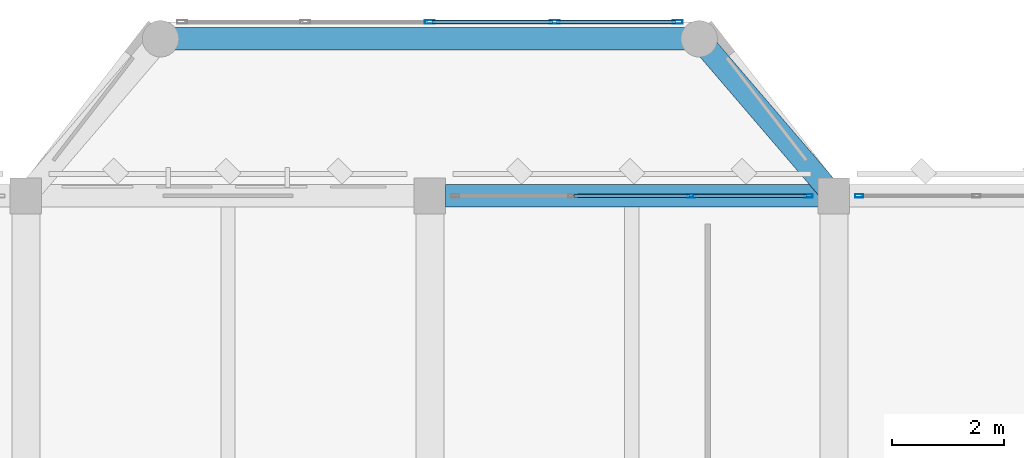
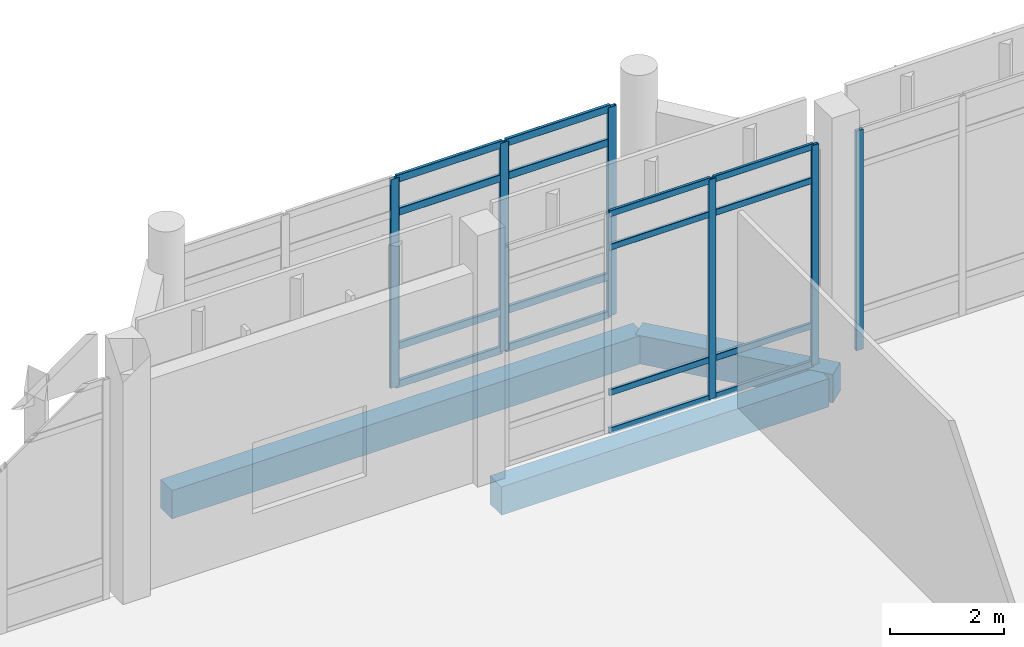
# One storey, part 132 of 180: 22 members, 3 beams, 3 elements without a shape of their own.
"""IFC4 building model written with IfcOpenShell, lengths in metres."""

from ifc_helpers import new_model, si_unit, direction, frame, origin, origin_2d, place, context, subcontext, project, spatial, rectangle, hollow_rectangle, extrude, material, material_profile, profile_set, type_object, element, aggregate, save


model = new_model("IFC4")

# Units and contexts
model_context = context("Model", 3, precision=1e-05, world=origin(), true_north=direction((0.0, 1.0)))
body_context = subcontext(model_context, "Body", "Model", "MODEL_VIEW")
ifc_project = project(units=[si_unit("LENGTHUNIT", "METRE"), si_unit("AREAUNIT", "SQUARE_METRE"), si_unit("VOLUMEUNIT", "CUBIC_METRE"), si_unit("PLANEANGLEUNIT", "RADIAN"), si_unit("MASSUNIT", "GRAM", prefix="KILO")], contexts=[model_context])

# Site, building, storey
site_placement = place(None, origin())
site = spatial("IfcSite", under=ifc_project, at=site_placement, CompositionType="ELEMENT")
building_placement = place(site_placement, origin())
building = spatial("IfcBuilding", under=site, at=building_placement, Name="Lusvemor Sports Hall", CompositionType="ELEMENT")
storey_placement = place(building_placement, frame((0.0, 0.0, 5.39990234375)))
storey = spatial("IfcBuildingStorey", under=building, at=storey_placement, Name="L01", CompositionType="ELEMENT", Elevation=5.39990234375)

# Curtain wall, members
ifc_material_1 = material(Name="Thermally broken bronze-anodized aluminium", Category="aluminium")
curtain_wall_type_1 = type_object("IfcCurtainWallType", Name="CW_FOYER_A", PredefinedType="NOTDEFINED", material=ifc_material_1)
curtain_wall_1_placement = place(storey_placement, origin())
curtain_wall_1 = element("IfcCurtainWall", 1, at=curtain_wall_1_placement, inside=storey, type_object=curtain_wall_type_1, Name="Curtain Wall CW-BOW-N3-L01-M", PredefinedType="NOTDEFINED")
ifc_material_2 = material(Name="Thermally broken bronze-anodized aluminium", Category="aluminium")
ifc_material_profile_1 = material_profile(ifc_material_2, hollow_rectangle(XDim=0.070068359375, YDim=0.179931640625, WallThickness=0.0048828125, InnerFilletRadius=0.0048828125, OuterFilletRadius=0.010009765625, at=origin_2d()), Name="CWMUL180x70x5")
ifc_profile_set_1 = profile_set([ifc_material_profile_1], Name="Thermally broken bronze-anodized aluminium")
member_type_1 = type_object("IfcMemberType", Name="CW_MUL_A", PredefinedType="MULLION", material=ifc_profile_set_1)
member_1_placement = place(storey_placement, frame((133.199951171875, 118.300048828125, 0.0), z_axis=(0.0, 0.0, 1.0), x_axis=(0.0, 1.0, 0.0)))
member_1 = element("IfcMember", 2, at=member_1_placement, type_object=member_type_1, Name="CW01 mullion 3", PredefinedType="MULLION", context=body_context, shape_type="SweptSolid", body=[
    extrude(hollow_rectangle(XDim=0.070068359375, YDim=0.179931640625, WallThickness=0.0048828125, InnerFilletRadius=0.0048828125, OuterFilletRadius=0.010009765625, at=origin_2d()), origin(), (0.0, 0.0, 1.0), 4.47998046875),
])
member_2_placement = place(storey_placement, frame((135.425048828125, 118.300048828125, 0.0), z_axis=(0.0, 0.0, 1.0), x_axis=(0.0, 1.0, 0.0)))
member_2 = element("IfcMember", 3, at=member_2_placement, type_object=member_type_1, Name="CW01 mullion 4", PredefinedType="MULLION", context=body_context, shape_type="SweptSolid", body=[
    extrude(hollow_rectangle(XDim=0.070068359375, YDim=0.179931640625, WallThickness=0.0048828125, InnerFilletRadius=0.0048828125, OuterFilletRadius=0.010009765625, at=origin_2d()), origin(), (0.0, 0.0, 1.0), 4.47998046875),
])
member_3_placement = place(storey_placement, frame((137.614990234375, 118.300048828125, 0.0), z_axis=(0.0, 0.0, 1.0), x_axis=(0.0, 1.0, 0.0)))
member_3 = element("IfcMember", 4, at=member_3_placement, type_object=member_type_1, Name="CW01 mullion 5", PredefinedType="MULLION", context=body_context, shape_type="SweptSolid", body=[
    extrude(hollow_rectangle(XDim=0.070068359375, YDim=0.179931640625, WallThickness=0.0048828125, InnerFilletRadius=0.0048828125, OuterFilletRadius=0.010009765625, at=origin_2d()), origin(), (0.0, 0.0, 1.0), 4.47998046875),
])

ifc_material_3 = material(Name="Thermally broken bronze-anodized aluminium", Category="aluminium")
curtain_wall_type_2 = type_object("IfcCurtainWallType", Name="CW_WING_B", PredefinedType="NOTDEFINED", material=ifc_material_3)
curtain_wall_2_placement = place(storey_placement, origin())
curtain_wall_2 = element("IfcCurtainWall", 5, at=curtain_wall_2_placement, inside=storey, type_object=curtain_wall_type_2, Name="Curtain Wall CW-L01-N-1-14", PredefinedType="NOTDEFINED")
ifc_material_4 = material(Name="Thermally broken bronze-anodized aluminium", Category="aluminium")
ifc_material_profile_2 = material_profile(ifc_material_4, hollow_rectangle(XDim=0.06494140625, YDim=0.14990234375, WallThickness=0.00390625, InnerFilletRadius=0.00390625, OuterFilletRadius=0.008056640625, at=origin_2d()), Name="CWMUL150x65x4")
ifc_profile_set_2 = profile_set([ifc_material_profile_2], Name="Thermally broken bronze-anodized aluminium")
member_type_2 = type_object("IfcMemberType", Name="CW_MUL_B", PredefinedType="MULLION", material=ifc_profile_set_2)
member_4_placement = place(storey_placement, frame((137.860107421875, 115.199951171875, 0.0), z_axis=(0.0, 0.0, 1.0), x_axis=(0.0, 1.0, 0.0)))
member_4 = element("IfcMember", 6, at=member_4_placement, type_object=member_type_2, Name="CW02 mullion 3", PredefinedType="MULLION", context=body_context, shape_type="SweptSolid", body=[
    extrude(hollow_rectangle(XDim=0.06494140625, YDim=0.14990234375, WallThickness=0.00390625, InnerFilletRadius=0.00390625, OuterFilletRadius=0.008056640625, at=origin_2d()), origin(), (0.0, 0.0, 1.0), 4.72021484375),
])
member_5_placement = place(storey_placement, frame((139.947509765625, 115.199951171875, 0.0), z_axis=(0.0, 0.0, 1.0), x_axis=(0.0, 1.0, 0.0)))
member_5 = element("IfcMember", 7, at=member_5_placement, type_object=member_type_2, Name="CW02 mullion 4", PredefinedType="MULLION", context=body_context, shape_type="SweptSolid", body=[
    extrude(hollow_rectangle(XDim=0.06494140625, YDim=0.14990234375, WallThickness=0.00390625, InnerFilletRadius=0.00390625, OuterFilletRadius=0.008056640625, at=origin_2d()), origin(), (0.0, 0.0, 1.0), 4.72021484375),
])

# Curtain wall, member
curtain_wall_3_placement = place(storey_placement, origin())
curtain_wall_3 = element("IfcCurtainWall", 8, at=curtain_wall_3_placement, inside=storey, type_object=curtain_wall_type_2, Name="Curtain Wall CW-L01-N-1-15", PredefinedType="NOTDEFINED")
member_6_placement = place(storey_placement, frame((140.8525390625, 115.199951171875, 0.0), z_axis=(0.0, 0.0, 1.0), x_axis=(0.0, 1.0, 0.0)))
member_6 = element("IfcMember", 9, at=member_6_placement, type_object=member_type_2, Name="CW02 mullion 1", PredefinedType="MULLION", context=body_context, shape_type="SweptSolid", body=[
    extrude(hollow_rectangle(XDim=0.06494140625, YDim=0.14990234375, WallThickness=0.00390625, InnerFilletRadius=0.00390625, OuterFilletRadius=0.008056640625, at=origin_2d()), origin(), (0.0, 0.0, 1.0), 4.72021484375),
])
aggregate(curtain_wall_3, [member_6])

# Member
ifc_material_5 = material(Name="Thermally broken bronze-anodized aluminium", Category="aluminium")
ifc_material_profile_3 = material_profile(ifc_material_5, hollow_rectangle(XDim=0.06494140625, YDim=0.159912109375, WallThickness=0.00390625, InnerFilletRadius=0.00390625, OuterFilletRadius=0.008056640625, at=origin_2d()), Name="CWTRN160x65x4")
ifc_profile_set_3 = profile_set([ifc_material_profile_3], Name="Thermally broken bronze-anodized aluminium")
member_type_3 = type_object("IfcMemberType", Name="CW_TRN_A", PredefinedType="USERDEFINED", material=ifc_profile_set_3)
member_7_placement = place(storey_placement, frame((133.235107421875, 118.300048828125, 0.03271484375), z_axis=(1.0, 0.0, 0.0), x_axis=(0.0, 1.0, 0.0)))
member_7 = element("IfcMember", 10, at=member_7_placement, type_object=member_type_3, Name="CW01 transom 3.1", ObjectType="TRANSOM", PredefinedType="USERDEFINED", context=body_context, shape_type="SweptSolid", body=[
    extrude(hollow_rectangle(XDim=0.06494140625, YDim=0.159912109375, WallThickness=0.00390625, InnerFilletRadius=0.00390625, OuterFilletRadius=0.008056640625, at=origin_2d()), origin(), (0.0, 0.0, 1.0), 2.15478515625),
])

member_8_placement = place(storey_placement, frame((133.235107421875, 118.300048828125, 0.85009765625), z_axis=(1.0, 0.0, 0.0), x_axis=(0.0, 1.0, 0.0)))
member_8 = element("IfcMember", 11, at=member_8_placement, type_object=member_type_3, Name="CW01 transom 3.2", ObjectType="TRANSOM", PredefinedType="USERDEFINED", context=body_context, shape_type="SweptSolid", body=[
    extrude(hollow_rectangle(XDim=0.06494140625, YDim=0.159912109375, WallThickness=0.00390625, InnerFilletRadius=0.00390625, OuterFilletRadius=0.008056640625, at=origin_2d()), origin(), (0.0, 0.0, 1.0), 2.15478515625),
])

member_9_placement = place(storey_placement, frame((133.235107421875, 118.300048828125, 3.72998046875), z_axis=(1.0, 0.0, 0.0), x_axis=(0.0, 1.0, 0.0)))
member_9 = element("IfcMember", 12, at=member_9_placement, type_object=member_type_3, Name="CW01 transom 3.3", ObjectType="TRANSOM", PredefinedType="USERDEFINED", context=body_context, shape_type="SweptSolid", body=[
    extrude(hollow_rectangle(XDim=0.06494140625, YDim=0.159912109375, WallThickness=0.00390625, InnerFilletRadius=0.00390625, OuterFilletRadius=0.008056640625, at=origin_2d()), origin(), (0.0, 0.0, 1.0), 2.15478515625),
])

member_10_placement = place(storey_placement, frame((133.235107421875, 118.300048828125, 4.447509765625), z_axis=(1.0, 0.0, 0.0), x_axis=(0.0, 1.0, 0.0)))
member_10 = element("IfcMember", 13, at=member_10_placement, type_object=member_type_3, Name="CW01 transom 3.4", ObjectType="TRANSOM", PredefinedType="USERDEFINED", context=body_context, shape_type="SweptSolid", body=[
    extrude(hollow_rectangle(XDim=0.06494140625, YDim=0.159912109375, WallThickness=0.00390625, InnerFilletRadius=0.00390625, OuterFilletRadius=0.008056640625, at=origin_2d()), origin(), (0.0, 0.0, 1.0), 2.15478515625),
])

member_11_placement = place(storey_placement, frame((135.4599609375, 118.300048828125, 0.03271484375), z_axis=(1.0, 0.0, 0.0), x_axis=(0.0, 1.0, 0.0)))
member_11 = element("IfcMember", 14, at=member_11_placement, type_object=member_type_3, Name="CW01 transom 4.1", ObjectType="TRANSOM", PredefinedType="USERDEFINED", context=body_context, shape_type="SweptSolid", body=[
    extrude(hollow_rectangle(XDim=0.06494140625, YDim=0.159912109375, WallThickness=0.00390625, InnerFilletRadius=0.00390625, OuterFilletRadius=0.008056640625, at=origin_2d()), origin(), (0.0, 0.0, 1.0), 2.1201171875),
])

member_12_placement = place(storey_placement, frame((135.4599609375, 118.300048828125, 0.85009765625), z_axis=(1.0, 0.0, 0.0), x_axis=(0.0, 1.0, 0.0)))
member_12 = element("IfcMember", 15, at=member_12_placement, type_object=member_type_3, Name="CW01 transom 4.2", ObjectType="TRANSOM", PredefinedType="USERDEFINED", context=body_context, shape_type="SweptSolid", body=[
    extrude(hollow_rectangle(XDim=0.06494140625, YDim=0.159912109375, WallThickness=0.00390625, InnerFilletRadius=0.00390625, OuterFilletRadius=0.008056640625, at=origin_2d()), origin(), (0.0, 0.0, 1.0), 2.1201171875),
])

member_13_placement = place(storey_placement, frame((135.4599609375, 118.300048828125, 3.72998046875), z_axis=(1.0, 0.0, 0.0), x_axis=(0.0, 1.0, 0.0)))
member_13 = element("IfcMember", 16, at=member_13_placement, type_object=member_type_3, Name="CW01 transom 4.3", ObjectType="TRANSOM", PredefinedType="USERDEFINED", context=body_context, shape_type="SweptSolid", body=[
    extrude(hollow_rectangle(XDim=0.06494140625, YDim=0.159912109375, WallThickness=0.00390625, InnerFilletRadius=0.00390625, OuterFilletRadius=0.008056640625, at=origin_2d()), origin(), (0.0, 0.0, 1.0), 2.1201171875),
])

member_14_placement = place(storey_placement, frame((135.4599609375, 118.300048828125, 4.447509765625), z_axis=(1.0, 0.0, 0.0), x_axis=(0.0, 1.0, 0.0)))
member_14 = element("IfcMember", 17, at=member_14_placement, type_object=member_type_3, Name="CW01 transom 4.4", ObjectType="TRANSOM", PredefinedType="USERDEFINED", context=body_context, shape_type="SweptSolid", body=[
    extrude(hollow_rectangle(XDim=0.06494140625, YDim=0.159912109375, WallThickness=0.00390625, InnerFilletRadius=0.00390625, OuterFilletRadius=0.008056640625, at=origin_2d()), origin(), (0.0, 0.0, 1.0), 2.1201171875),
])

aggregate(curtain_wall_1, [member_1, member_2, member_3, member_7, member_8, member_9, member_10, member_11, member_12, member_13, member_14])

ifc_material_6 = material(Name="Thermally broken bronze-anodized aluminium", Category="aluminium")
ifc_material_profile_4 = material_profile(ifc_material_6, hollow_rectangle(XDim=0.06005859375, YDim=0.135009765625, WallThickness=0.00390625, InnerFilletRadius=0.00390625, OuterFilletRadius=0.008056640625, at=origin_2d()), Name="CWTRN135x60x4")
ifc_profile_set_4 = profile_set([ifc_material_profile_4], Name="Thermally broken bronze-anodized aluminium")
member_type_4 = type_object("IfcMemberType", Name="CW_TRN_B", PredefinedType="USERDEFINED", material=ifc_profile_set_4)
member_15_placement = place(storey_placement, frame((135.7724609375, 115.199951171875, 0.030029296875), z_axis=(1.0, 0.0, 0.0), x_axis=(0.0, 1.0, 0.0)))
member_15 = element("IfcMember", 18, at=member_15_placement, type_object=member_type_4, Name="CW02 transom 2.1", ObjectType="TRANSOM", PredefinedType="USERDEFINED", context=body_context, shape_type="SweptSolid", body=[
    extrude(hollow_rectangle(XDim=0.06005859375, YDim=0.135009765625, WallThickness=0.00390625, InnerFilletRadius=0.00390625, OuterFilletRadius=0.008056640625, at=origin_2d()), origin(), (0.0, 0.0, 1.0), 2.054931640625),
])

member_16_placement = place(storey_placement, frame((135.7724609375, 115.199951171875, 0.85009765625), z_axis=(1.0, 0.0, 0.0), x_axis=(0.0, 1.0, 0.0)))
member_16 = element("IfcMember", 19, at=member_16_placement, type_object=member_type_4, Name="CW02 transom 2.2", ObjectType="TRANSOM", PredefinedType="USERDEFINED", context=body_context, shape_type="SweptSolid", body=[
    extrude(hollow_rectangle(XDim=0.06005859375, YDim=0.135009765625, WallThickness=0.00390625, InnerFilletRadius=0.00390625, OuterFilletRadius=0.008056640625, at=origin_2d()), origin(), (0.0, 0.0, 1.0), 2.054931640625),
])

member_17_placement = place(storey_placement, frame((135.7724609375, 115.199951171875, 3.97021484375), z_axis=(1.0, 0.0, 0.0), x_axis=(0.0, 1.0, 0.0)))
member_17 = element("IfcMember", 20, at=member_17_placement, type_object=member_type_4, Name="CW02 transom 2.3", ObjectType="TRANSOM", PredefinedType="USERDEFINED", context=body_context, shape_type="SweptSolid", body=[
    extrude(hollow_rectangle(XDim=0.06005859375, YDim=0.135009765625, WallThickness=0.00390625, InnerFilletRadius=0.00390625, OuterFilletRadius=0.008056640625, at=origin_2d()), origin(), (0.0, 0.0, 1.0), 2.054931640625),
])

member_18_placement = place(storey_placement, frame((135.7724609375, 115.199951171875, 4.690185546875), z_axis=(1.0, 0.0, 0.0), x_axis=(0.0, 1.0, 0.0)))
member_18 = element("IfcMember", 21, at=member_18_placement, type_object=member_type_4, Name="CW02 transom 2.4", ObjectType="TRANSOM", PredefinedType="USERDEFINED", context=body_context, shape_type="SweptSolid", body=[
    extrude(hollow_rectangle(XDim=0.06005859375, YDim=0.135009765625, WallThickness=0.00390625, InnerFilletRadius=0.00390625, OuterFilletRadius=0.008056640625, at=origin_2d()), origin(), (0.0, 0.0, 1.0), 2.054931640625),
])

member_19_placement = place(storey_placement, frame((137.892578125, 115.199951171875, 0.030029296875), z_axis=(1.0, 0.0, 0.0), x_axis=(0.0, 1.0, 0.0)))
member_19 = element("IfcMember", 22, at=member_19_placement, type_object=member_type_4, Name="CW02 transom 3.1", ObjectType="TRANSOM", PredefinedType="USERDEFINED", context=body_context, shape_type="SweptSolid", body=[
    extrude(hollow_rectangle(XDim=0.06005859375, YDim=0.135009765625, WallThickness=0.00390625, InnerFilletRadius=0.00390625, OuterFilletRadius=0.008056640625, at=origin_2d()), origin(), (0.0, 0.0, 1.0), 2.0224609375),
])

member_20_placement = place(storey_placement, frame((137.892578125, 115.199951171875, 0.85009765625), z_axis=(1.0, 0.0, 0.0), x_axis=(0.0, 1.0, 0.0)))
member_20 = element("IfcMember", 23, at=member_20_placement, type_object=member_type_4, Name="CW02 transom 3.2", ObjectType="TRANSOM", PredefinedType="USERDEFINED", context=body_context, shape_type="SweptSolid", body=[
    extrude(hollow_rectangle(XDim=0.06005859375, YDim=0.135009765625, WallThickness=0.00390625, InnerFilletRadius=0.00390625, OuterFilletRadius=0.008056640625, at=origin_2d()), origin(), (0.0, 0.0, 1.0), 2.0224609375),
])

member_21_placement = place(storey_placement, frame((137.892578125, 115.199951171875, 3.97021484375), z_axis=(1.0, 0.0, 0.0), x_axis=(0.0, 1.0, 0.0)))
member_21 = element("IfcMember", 24, at=member_21_placement, type_object=member_type_4, Name="CW02 transom 3.3", ObjectType="TRANSOM", PredefinedType="USERDEFINED", context=body_context, shape_type="SweptSolid", body=[
    extrude(hollow_rectangle(XDim=0.06005859375, YDim=0.135009765625, WallThickness=0.00390625, InnerFilletRadius=0.00390625, OuterFilletRadius=0.008056640625, at=origin_2d()), origin(), (0.0, 0.0, 1.0), 2.0224609375),
])

member_22_placement = place(storey_placement, frame((137.892578125, 115.199951171875, 4.690185546875), z_axis=(1.0, 0.0, 0.0), x_axis=(0.0, 1.0, 0.0)))
member_22 = element("IfcMember", 25, at=member_22_placement, type_object=member_type_4, Name="CW02 transom 3.4", ObjectType="TRANSOM", PredefinedType="USERDEFINED", context=body_context, shape_type="SweptSolid", body=[
    extrude(hollow_rectangle(XDim=0.06005859375, YDim=0.135009765625, WallThickness=0.00390625, InnerFilletRadius=0.00390625, OuterFilletRadius=0.008056640625, at=origin_2d()), origin(), (0.0, 0.0, 1.0), 2.0224609375),
])

aggregate(curtain_wall_2, [member_4, member_5, member_15, member_16, member_17, member_18, member_19, member_20, member_21, member_22])

# Beams
ifc_material_7 = material(Name="Concrete C40/50", Category="concrete")
ifc_material_profile_5 = material_profile(ifc_material_7, rectangle(XDim=0.39990234375, YDim=0.610107421875, at=origin_2d()), Name="RC400x610")
ifc_profile_set_5 = profile_set([ifc_material_profile_5], Name="Concrete C40/50")
beam_type = type_object("IfcBeamType", Name="SPAND_EXT_650", PredefinedType="SPANDREL", material=ifc_profile_set_5)
beam_1_placement = place(storey_placement, frame((133.47607421875, 115.199951171875, -0.56494140625), z_axis=(1.0, 0.0, 0.0), x_axis=(0.0, 1.0, 0.0)))
element("IfcBeam", 26, at=beam_1_placement, inside=storey, type_object=beam_type, Name="Beam L01 Q:15-16", PredefinedType="SPANDREL", context=body_context, shape_type="SweptSolid", body=[
    extrude(rectangle(XDim=0.39990234375, YDim=0.610107421875, at=origin_2d()), origin(), (0.0, 0.0, 1.0), 6.64794921875),
])
beam_2_placement = place(storey_placement, frame((128.39990234375, 118.0, -0.56494140625), z_axis=(1.0, 0.0, 0.0), x_axis=(0.0, 1.0, 0.0)))
element("IfcBeam", 27, at=beam_2_placement, inside=storey, type_object=beam_type, Name="Bow Pavilion Edge Beam BOW-N3 L01-2", PredefinedType="SPANDREL", context=body_context, shape_type="SweptSolid", body=[
    extrude(rectangle(XDim=0.39990234375, YDim=0.610107421875, at=origin_2d()), origin(), (0.0, 0.0, 1.0), 9.60009765625),
])
beam_3_placement = place(storey_placement, frame((138.0, 118.0, -0.56494140625), z_axis=(0.650769565339, -0.759275294494, 0.0), x_axis=(0.759275294494, 0.650769565339, 0.0)))
element("IfcBeam", 28, at=beam_3_placement, inside=storey, type_object=beam_type, Name="Bow Pavilion Edge Beam BOW-N3 L01-3", PredefinedType="SPANDREL", context=body_context, shape_type="SweptSolid", body=[
    extrude(rectangle(XDim=0.39990234375, YDim=0.610107421875, at=origin_2d()), origin(), (0.0, 0.0, 1.0), 3.687744140625),
])

save(model, "model.ifc")
